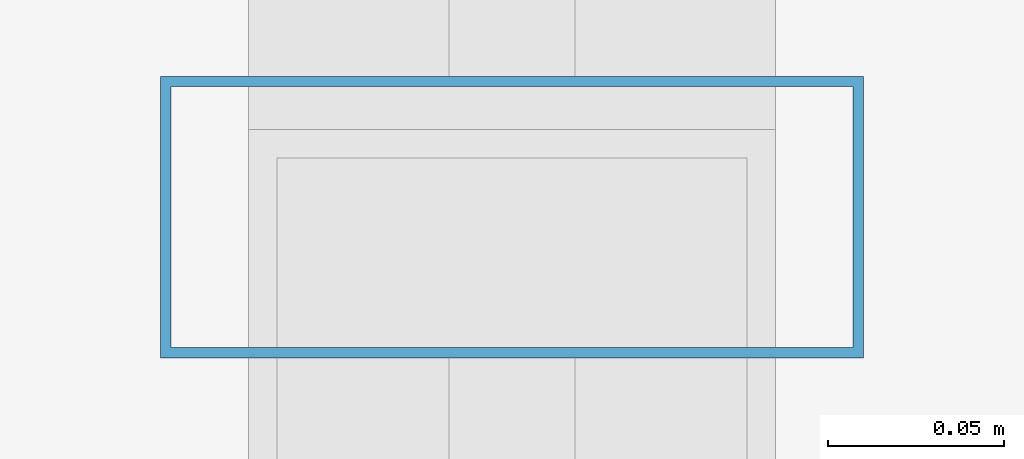
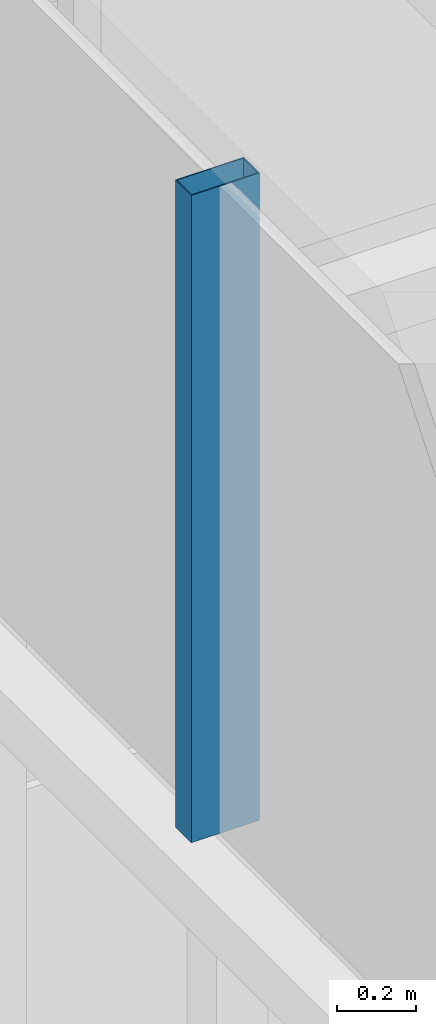
# One storey, part 33 of 62: 1 member, 1 element without a shape of its own.
"""IFC4 building model written with IfcOpenShell, lengths in metres."""

from ifc_helpers import new_model, si_unit, direction, frame, origin, origin_2d, place, context, subcontext, project, spatial, hollow_rectangle, extrude, material, material_profile, profile_set, type_object, element, aggregate, save


model = new_model("IFC4")

# Units and contexts
model_context = context("Model", 3, precision=1e-05, world=origin(), true_north=direction((0.0, 1.0)))
body_context = subcontext(model_context, "Body", "Model", "MODEL_VIEW")
ifc_project = project(units=[si_unit("LENGTHUNIT", "METRE"), si_unit("AREAUNIT", "SQUARE_METRE"), si_unit("VOLUMEUNIT", "CUBIC_METRE"), si_unit("PLANEANGLEUNIT", "RADIAN"), si_unit("MASSUNIT", "GRAM", prefix="KILO")], contexts=[model_context])

# Site, building, storey
site_placement = place(None, origin())
site = spatial("IfcSite", under=ifc_project, at=site_placement, CompositionType="ELEMENT")
building_placement = place(site_placement, origin())
building = spatial("IfcBuilding", under=site, at=building_placement, Name="Altepetl Exchange Towers", CompositionType="ELEMENT")
storey_placement = place(building_placement, frame((0.0, 0.0, 210.0)))
storey = spatial("IfcBuildingStorey", under=building, at=storey_placement, Name="L53", CompositionType="ELEMENT", Elevation=210.0)

# Curtain wall, member
ifc_material_1 = material(Name="Aluminium 6063-T6 glazing", Category="aluminium")
curtain_wall_type = type_object("IfcCurtainWallType", Name="Crown glazing system", PredefinedType="NOTDEFINED", material=ifc_material_1)
curtain_wall_placement = place(storey_placement, origin())
curtain_wall = element("IfcCurtainWall", 1, at=curtain_wall_placement, inside=storey, type_object=curtain_wall_type, Name="CW7 run", PredefinedType="NOTDEFINED")
ifc_material_2 = material(Name="Aluminium 6063-T6", Category="aluminium")
ifc_material_profile = material_profile(ifc_material_2, hollow_rectangle(XDim=0.080078125, YDim=0.199951171875, WallThickness=0.0029296875, at=origin_2d()), Name="Mullion 80x200 hollow aluminium")
ifc_profile_set = profile_set([ifc_material_profile], Name="Aluminium 6063-T6")
member_type = type_object("IfcMemberType", Name="Mullion 80x200 hollow aluminium", PredefinedType="MULLION", material=ifc_profile_set)
member_placement = place(storey_placement, frame((106.392822265625, 42.800048828125, 7.89990234375), z_axis=(0.0, 0.0, 1.0), x_axis=(0.0, -1.0, 0.0)))
member = element("IfcMember", 2, at=member_placement, type_object=member_type, Name="MU5 mullion", PredefinedType="MULLION", context=body_context, shape_type="SweptSolid", body=[
    extrude(hollow_rectangle(XDim=0.080078125, YDim=0.199951171875, WallThickness=0.0029296875, at=origin_2d()), origin(), (0.0, 0.0, 1.0), 2.0),
])
aggregate(curtain_wall, [member])

save(model, "model.ifc")
